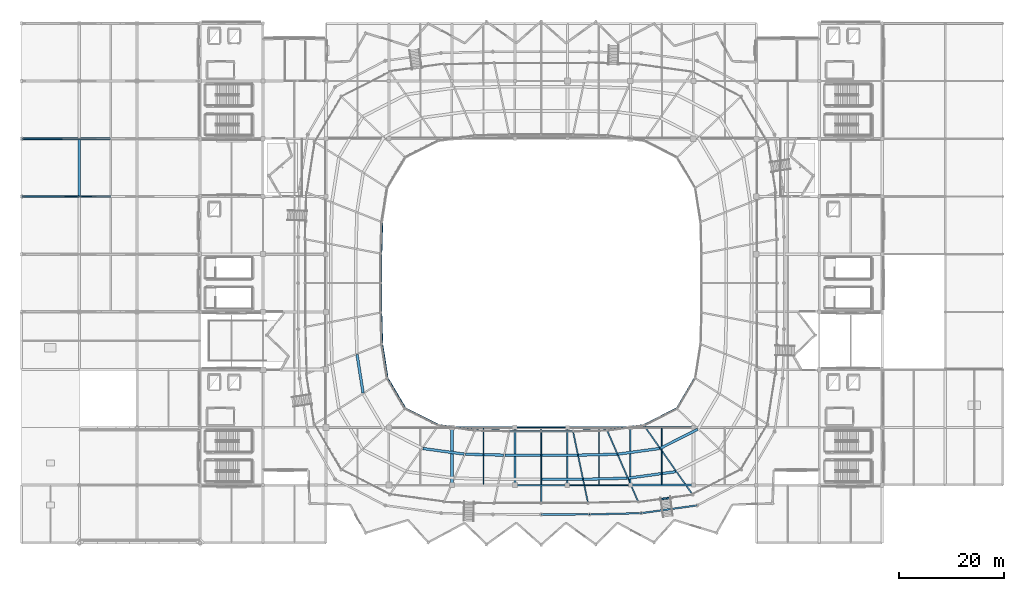
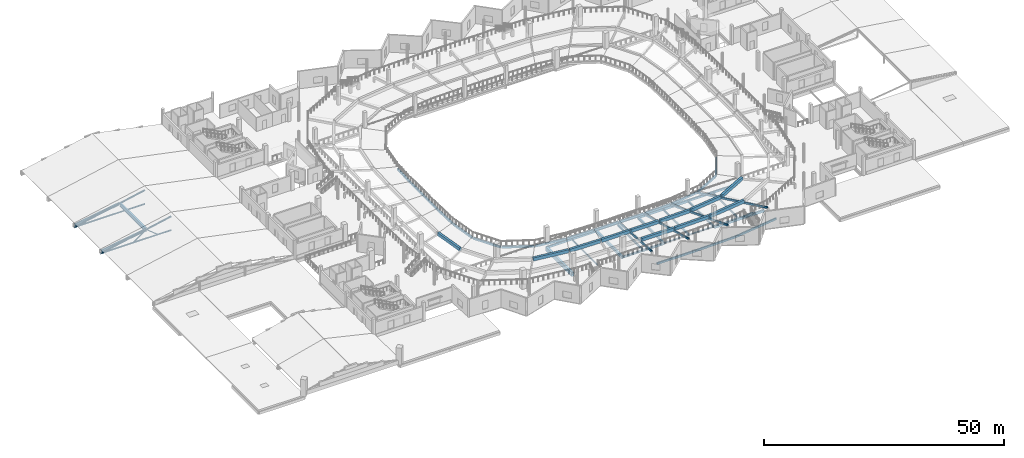
# One storey, part 29 of 77: 52 beams, 6 members.
"""IFC4 building model written with IfcOpenShell, lengths in metres."""

from ifc_helpers import new_model, si_unit, direction, frame, origin, origin_2d, place, context, subcontext, project, spatial, rectangle, hollow_rectangle, hollow_circle, i_section, extrude, material, material_profile, profile_set, type_object, element, save


model = new_model("IFC4")

# Units and contexts
model_context = context("Model", 3, precision=1e-05, world=origin(), true_north=direction((0.0, 1.0)))
body_context = subcontext(model_context, "Body", "Model", "MODEL_VIEW")
ifc_project = project(units=[si_unit("LENGTHUNIT", "METRE"), si_unit("AREAUNIT", "SQUARE_METRE"), si_unit("VOLUMEUNIT", "CUBIC_METRE"), si_unit("PLANEANGLEUNIT", "RADIAN"), si_unit("MASSUNIT", "GRAM", prefix="KILO")], contexts=[model_context])

# Site, building, storey
site_placement = place(None, origin())
site = spatial("IfcSite", under=ifc_project, at=site_placement, CompositionType="ELEMENT")
building_placement = place(site_placement, origin())
building = spatial("IfcBuilding", under=site, at=building_placement, Name="Luwafu Chhajja Arena", CompositionType="ELEMENT")
storey_placement = place(building_placement, frame((0.0, 0.0, 14.699951171875)))
storey = spatial("IfcBuildingStorey", under=building, at=storey_placement, Name="L03", CompositionType="ELEMENT", Elevation=14.699951171875)

# Beams
ifc_material_1 = material(Name="Steel S355", Category="steel")
ifc_material_profile_1 = material_profile(ifc_material_1, hollow_rectangle(XDim=0.25, YDim=0.449951171875, WallThickness=0.01611328125, at=origin_2d()), Name="RHS 450x250x16")
ifc_profile_set_1 = profile_set([ifc_material_profile_1], Name="Steel S355")
beam_type_1 = type_object("IfcBeamType", Name="Cantilevered Upper Bowl Raker RHS 450x250", PredefinedType="USERDEFINED", material=ifc_profile_set_1)
beam_1_placement = place(storey_placement, frame((99.0, 21.300048828125, 0.239990234375), z_axis=(0.0, -0.997488085628, 0.070834448044), x_axis=(1.0, 0.0, 0.0)))
element("IfcBeam", 1, at=beam_1_placement, inside=storey, type_object=beam_type_1, Name="Upper Bowl Raker RKR-U25", ObjectType="RAKER", PredefinedType="USERDEFINED", context=body_context, shape_type="SweptSolid", body=[
    extrude(hollow_rectangle(XDim=0.25, YDim=0.449951171875, WallThickness=0.01611328125, at=origin_2d()), origin(), (0.0, 0.0, 1.0), 13.834716796875),
])
beam_2_placement = place(storey_placement, frame((105.065185546875, 21.3076171875, 0.239990234375), z_axis=(0.204077146452, -0.976494457749, 0.069362037753), x_axis=(0.9788519703, 0.204569841961, 0.0)))
element("IfcBeam", 2, at=beam_2_placement, inside=storey, type_object=beam_type_1, Name="Upper Bowl Raker RKR-U26", ObjectType="RAKER", PredefinedType="USERDEFINED", context=body_context, shape_type="SweptSolid", body=[
    extrude(hollow_rectangle(XDim=0.25, YDim=0.449951171875, WallThickness=0.01611328125, at=origin_2d()), origin(), (0.0, 0.0, 1.0), 14.12841796875),
])
beam_3_placement = place(storey_placement, frame((111.560302734375, 21.463134765625, 0.239990234375), z_axis=(0.398223154661, -0.914957546199, 0.065352947496), x_axis=(0.916917722769, 0.399076295553, 0.0)))
element("IfcBeam", 3, at=beam_3_placement, inside=storey, type_object=beam_type_1, Name="Upper Bowl Raker RKR-U27", ObjectType="RAKER", PredefinedType="USERDEFINED", context=body_context, shape_type="SweptSolid", body=[
    extrude(hollow_rectangle(XDim=0.25, YDim=0.449951171875, WallThickness=0.01611328125, at=origin_2d()), origin(), (0.0, 0.0, 1.0), 14.9951171875),
])
beam_4_placement = place(storey_placement, frame((118.57666015625, 22.410888671875, 0.239990234375), z_axis=(0.573550026627, -0.816941301272, 0.060392691873), x_axis=(0.818435194703, 0.574598844474, 0.0)))
element("IfcBeam", 4, at=beam_4_placement, inside=storey, type_object=beam_type_1, Name="Upper Bowl Raker RKR-U28", ObjectType="RAKER", PredefinedType="USERDEFINED", context=body_context, shape_type="SweptSolid", body=[
    extrude(hollow_rectangle(XDim=0.25, YDim=0.449951171875, WallThickness=0.01611328125, at=origin_2d()), origin(), (0.0, 0.0, 1.0), 16.226806640625),
])
ifc_material_profile_2 = material_profile(ifc_material_1, i_section(OverallWidth=0.165771484375, OverallDepth=0.306640625, WebThickness=0.006591796875, FlangeThickness=0.01171875, at=origin_2d()), Name="UB 305x165x46")
ifc_profile_set_2 = profile_set([ifc_material_profile_2], Name="Steel S355")
beam_type_2 = type_object("IfcBeamType", Name="Concourse Edge Spandrel Beam UB 305x165x46", PredefinedType="SPANDREL", material=ifc_profile_set_2)
beam_5_placement = place(storey_placement, frame((94.0, 22.0, -0.543212890625), z_axis=(1.0, 0.0, 0.0), x_axis=(0.0, 1.0, 0.0)))
element("IfcBeam", 5, at=beam_5_placement, inside=storey, type_object=beam_type_2, Name="L03 Grid Beam 9-10/C", PredefinedType="SPANDREL", context=body_context, shape_type="SweptSolid", body=[
    extrude(i_section(OverallWidth=0.165771484375, OverallDepth=0.306640625, WebThickness=0.006591796875, FlangeThickness=0.01171875, at=origin_2d()), origin(), (0.0, 0.0, 1.0), 10.0),
])
beam_6_placement = place(storey_placement, frame((104.0, 11.0, -0.543212890625), z_axis=(1.0, 0.0, 0.0), x_axis=(0.0, 1.0, 0.0)))
element("IfcBeam", 6, at=beam_6_placement, inside=storey, type_object=beam_type_2, Name="L03 Grid Beam 10-11/B", PredefinedType="SPANDREL", context=body_context, shape_type="SweptSolid", body=[
    extrude(i_section(OverallWidth=0.165771484375, OverallDepth=0.306640625, WebThickness=0.006591796875, FlangeThickness=0.01171875, at=origin_2d()), origin(), (0.0, 0.0, 1.0), 12.0),
])
ifc_material_2 = material(Name="Concrete C35/45", Category="concrete")
ifc_material_profile_3 = material_profile(ifc_material_2, rectangle(XDim=0.550048828125, YDim=0.949951171875, at=origin_2d()), Name="RC 550x950")
ifc_profile_set_3 = profile_set([ifc_material_profile_3], Name="Concrete C35/45")
beam_type_3 = type_object("IfcBeamType", Name="Concourse Radial Girder RC 550x950", PredefinedType="BEAM", material=ifc_profile_set_3)
beam_7_placement = place(storey_placement, frame((82.0, 11.0, -0.864990234375), z_axis=(0.0, 1.0, 0.0), x_axis=(-1.0, 0.0, 0.0)))
element("IfcBeam", 7, at=beam_7_placement, inside=storey, type_object=beam_type_3, Name="L03 Grid Beam 8/B-C", PredefinedType="BEAM", context=body_context, shape_type="SweptSolid", body=[
    extrude(rectangle(XDim=0.550048828125, YDim=0.949951171875, at=origin_2d()), origin(), (0.0, 0.0, 1.0), 11.0),
])
ifc_material_profile_4 = material_profile(ifc_material_1, i_section(OverallWidth=0.15283203125, OverallDepth=0.45458984375, WebThickness=0.008056640625, FlangeThickness=0.01318359375, at=origin_2d()), Name="UB 457x152x60")
ifc_profile_set_4 = profile_set([ifc_material_profile_4], Name="Steel S355")
beam_type_4 = type_object("IfcBeamType", Name="Floor Joist UB 457x152x60", PredefinedType="JOIST", material=ifc_profile_set_4)
beam_8_placement = place(storey_placement, frame((88.0, 11.199951171875, -0.6171875), z_axis=(0.0, 1.0, 0.0), x_axis=(-1.0, 0.0, 0.0)))
element("IfcBeam", 8, at=beam_8_placement, inside=storey, type_object=beam_type_4, Name="L03 Secondary Joist 8-9/B", PredefinedType="JOIST", context=body_context, shape_type="SweptSolid", body=[
    extrude(i_section(OverallWidth=0.15283203125, OverallDepth=0.45458984375, WebThickness=0.008056640625, FlangeThickness=0.01318359375, at=origin_2d()), origin(), (0.0, 0.0, 1.0), 10.650146484375),
])
ifc_material_profile_5 = material_profile(ifc_material_1, i_section(OverallWidth=0.19140625, OverallDepth=0.4599609375, WebThickness=0.010009765625, FlangeThickness=0.01611328125, at=origin_2d()), Name="UB 457x191x82")
ifc_profile_set_5 = profile_set([ifc_material_profile_5], Name="Steel S355")
beam_type_5 = type_object("IfcBeamType", Name="Floor Joist UB 457x191x82", PredefinedType="JOIST", material=ifc_profile_set_5)
beam_9_placement = place(storey_placement, frame((122.0, 11.199951171875, -0.619873046875), z_axis=(0.0, 1.0, 0.0), x_axis=(-1.0, 0.0, 0.0)))
element("IfcBeam", 9, at=beam_9_placement, inside=storey, type_object=beam_type_5, Name="L03 Secondary Joist 11-12/B", PredefinedType="JOIST", context=body_context, shape_type="SweptSolid", body=[
    extrude(i_section(OverallWidth=0.19140625, OverallDepth=0.4599609375, WebThickness=0.010009765625, FlangeThickness=0.01611328125, at=origin_2d()), origin(), (0.0, 0.0, 1.0), 10.650146484375),
])
ifc_material_profile_6 = material_profile(ifc_material_1, i_section(OverallWidth=0.2099609375, OverallDepth=0.53662109375, WebThickness=0.0107421875, FlangeThickness=0.017333984375, at=origin_2d()), Name="UB 533x210x101")
ifc_profile_set_6 = profile_set([ifc_material_profile_6], Name="Steel S355")
beam_type_6 = type_object("IfcBeamType", Name="Floor Joist UB 533x210x101", PredefinedType="JOIST", material=ifc_profile_set_6)
beam_10_placement = place(storey_placement, frame((99.0, 11.14990234375, -0.658203125), z_axis=(0.0, 1.0, 0.0), x_axis=(-1.0, 0.0, 0.0)))
element("IfcBeam", 10, at=beam_10_placement, inside=storey, type_object=beam_type_6, Name="L03 Secondary Joist 9-10/B", PredefinedType="JOIST", context=body_context, shape_type="SweptSolid", body=[
    extrude(i_section(OverallWidth=0.2099609375, OverallDepth=0.53662109375, WebThickness=0.0107421875, FlangeThickness=0.017333984375, at=origin_2d()), origin(), (0.0, 0.0, 1.0), 10.76708984375),
])
ifc_material_profile_7 = material_profile(ifc_material_1, i_section(OverallWidth=0.209228515625, OverallDepth=0.533203125, WebThickness=0.010009765625, FlangeThickness=0.015625, at=origin_2d()), Name="UB 533x210x92")
ifc_profile_set_7 = profile_set([ifc_material_profile_7], Name="Steel S355")
beam_type_7 = type_object("IfcBeamType", Name="Floor Joist UB 533x210x92", PredefinedType="JOIST", material=ifc_profile_set_7)
beam_11_placement = place(storey_placement, frame((110.0, 11.0830078125, -0.656494140625), z_axis=(0.0, 1.0, 0.0), x_axis=(-1.0, 0.0, 0.0)))
element("IfcBeam", 11, at=beam_11_placement, inside=storey, type_object=beam_type_7, Name="L03 Secondary Joist 10-11/B", PredefinedType="JOIST", context=body_context, shape_type="SweptSolid", body=[
    extrude(i_section(OverallWidth=0.209228515625, OverallDepth=0.533203125, WebThickness=0.010009765625, FlangeThickness=0.015625, at=origin_2d()), origin(), (0.0, 0.0, 1.0), 10.717041015625),
])
ifc_material_profile_8 = material_profile(ifc_material_2, rectangle(XDim=0.5, YDim=0.800048828125, at=origin_2d()), Name="RC 500x800")
ifc_profile_set_8 = profile_set([ifc_material_profile_8], Name="Concrete C35/45")
beam_type_8 = type_object("IfcBeamType", Name="Hospitality Primary Beam RC 500x800", PredefinedType="BEAM", material=ifc_profile_set_8)
beam_12_placement = place(storey_placement, frame((63.923583984375, 35.868896484375, 0.800048828125), z_axis=(0.1553465585, -0.987860033994, 0.0), x_axis=(0.987860033994, 0.1553465585, 0.0)))
element("IfcBeam", 12, at=beam_12_placement, inside=storey, type_object=beam_type_8, Name="Upper Tier Ring Beam S19-B2", PredefinedType="BEAM", context=body_context, shape_type="SweptSolid", body=[
    extrude(rectangle(XDim=0.5, YDim=0.800048828125, at=origin_2d()), origin(), (0.0, 0.0, 1.0), 7.387939453125),
])
beam_13_placement = place(storey_placement, frame((76.46630859375, 17.975341796875, 0.800048828125), z_axis=(0.990909467515, -0.134530395038, 0.0), x_axis=(0.134530395038, 0.990909467515, 0.0)))
element("IfcBeam", 13, at=beam_13_placement, inside=storey, type_object=beam_type_8, Name="Upper Tier Ring Beam S22-B2", PredefinedType="BEAM", context=body_context, shape_type="SweptSolid", body=[
    extrude(rectangle(XDim=0.5, YDim=0.800048828125, at=origin_2d()), origin(), (0.0, 0.0, 1.0), 7.945068359375),
])
beam_14_placement = place(storey_placement, frame((84.587890625, 16.88671875, 0.800048828125), z_axis=(0.999710840469, -0.02404652675, 0.0), x_axis=(0.02404652675, 0.999710840469, 0.0)))
element("IfcBeam", 14, at=beam_14_placement, inside=storey, type_object=beam_type_8, Name="Upper Tier Ring Beam S23-B2", PredefinedType="BEAM", context=body_context, shape_type="SweptSolid", body=[
    extrude(rectangle(XDim=0.5, YDim=0.800048828125, at=origin_2d()), origin(), (0.0, 0.0, 1.0), 7.26953125),
])
for number, where, z_axis, x_axis, name in (
    (15, (92.105224609375, 16.70849609375, 0.800048828125), (0.999999248275, -0.001226152203, 0.0), (0.001226152203, 0.999999248275, 0.0), "Upper Tier Ring Beam S24-B2"),
    (16, (99.125, 16.7001953125, 0.800048828125), (0.999999248275, 0.001226152203, 0.0), (-0.001226152203, 0.999999248275, 0.0), "Upper Tier Ring Beam S25-B2"),
):
    element("IfcBeam", number, at=place(storey_placement, frame(where, z_axis=z_axis, x_axis=x_axis)), inside=storey, type_object=beam_type_8, Name=name, PredefinedType="BEAM", context=body_context, shape_type="SweptSolid", body=[
        extrude(rectangle(XDim=0.5, YDim=0.800048828125, at=origin_2d()), origin(), (0.0, 0.0, 1.0), 6.769775390625),
    ])
beam_15_placement = place(storey_placement, frame((99.125, 12.10009765625, 1.380126953125), z_axis=(0.999999200771, 0.001264301411, 0.0), x_axis=(-0.001264301411, 0.999999200771, 0.0)))
element("IfcBeam", 17, at=beam_15_placement, inside=storey, type_object=beam_type_8, Name="Upper Tier Ring Beam S25-B3", PredefinedType="BEAM", context=body_context, shape_type="SweptSolid", body=[
    extrude(rectangle(XDim=0.5, YDim=0.800048828125, at=origin_2d()), origin(), (0.0, 0.0, 1.0), 7.72412109375),
])
beam_16_placement = place(storey_placement, frame((106.144775390625, 16.7119140625, 0.800048828125), z_axis=(0.999710840469, 0.02404652675, 0.0), x_axis=(-0.02404652675, 0.999710840469, 0.0)))
element("IfcBeam", 18, at=beam_16_placement, inside=storey, type_object=beam_type_8, Name="Upper Tier Ring Beam S26-B2", PredefinedType="BEAM", context=body_context, shape_type="SweptSolid", body=[
    extrude(rectangle(XDim=0.5, YDim=0.800048828125, at=origin_2d()), origin(), (0.0, 0.0, 1.0), 7.26953125),
])
beam_17_placement = place(storey_placement, frame((107.09912109375, 12.113037109375, 1.380126953125), z_axis=(0.999707814625, 0.024171995753, 0.0), x_axis=(-0.024171995753, 0.999707814625, 0.0)))
element("IfcBeam", 19, at=beam_17_placement, inside=storey, type_object=beam_type_8, Name="Upper Tier Ring Beam S26-B3", PredefinedType="BEAM", context=body_context, shape_type="SweptSolid", body=[
    extrude(rectangle(XDim=0.5, YDim=0.800048828125, at=origin_2d()), origin(), (0.0, 0.0, 1.0), 8.292236328125),
])
beam_18_placement = place(storey_placement, frame((113.660888671875, 16.906494140625, 0.800048828125), z_axis=(0.990909467515, 0.134530395038, 0.0), x_axis=(-0.134530395038, 0.990909467515, 0.0)))
element("IfcBeam", 20, at=beam_18_placement, inside=storey, type_object=beam_type_8, Name="Upper Tier Ring Beam S27-B2", PredefinedType="BEAM", context=body_context, shape_type="SweptSolid", body=[
    extrude(rectangle(XDim=0.5, YDim=0.800048828125, at=origin_2d()), origin(), (0.0, 0.0, 1.0), 7.945068359375),
])
beam_19_placement = place(storey_placement, frame((115.6376953125, 12.33349609375, 1.380126953125), z_axis=(0.990848033552, 0.134982126249, 0.0), x_axis=(-0.134982126249, 0.990848033552, 0.0)))
element("IfcBeam", 21, at=beam_19_placement, inside=storey, type_object=beam_type_8, Name="Upper Tier Ring Beam S27-B3", PredefinedType="BEAM", context=body_context, shape_type="SweptSolid", body=[
    extrude(rectangle(XDim=0.5, YDim=0.800048828125, at=origin_2d()), origin(), (0.0, 0.0, 1.0), 9.059814453125),
])
beam_20_placement = place(storey_placement, frame((121.768798828125, 18.048828125, 0.800048828125), z_axis=(0.891381324979, 0.453254159913, 0.0), x_axis=(-0.453254159913, 0.891381324979, 0.0)))
element("IfcBeam", 22, at=beam_20_placement, inside=storey, type_object=beam_type_8, Name="Upper Tier Ring Beam S28-B2", PredefinedType="BEAM", context=body_context, shape_type="SweptSolid", body=[
    extrude(rectangle(XDim=0.5, YDim=0.800048828125, at=origin_2d()), origin(), (0.0, 0.0, 1.0), 7.908203125),
])
ifc_material_profile_9 = material_profile(ifc_material_1, i_section(OverallWidth=0.41845703125, OverallDepth=0.911865234375, WebThickness=0.019287109375, FlangeThickness=0.031982421875, at=origin_2d()), Name="UB 914x419x343")
ifc_profile_set_9 = profile_set([ifc_material_profile_9], Name="Steel S355")
beam_type_9 = type_object("IfcBeamType", Name="Outer Compression Ring Girder UB 914x419x343", PredefinedType="BEAM", material=ifc_profile_set_9)
beam_21_placement = place(storey_placement, frame((11.0, 66.1201171875, 1.949951171875), z_axis=(0.0, 1.0, 0.0), x_axis=(-1.0, 0.0, 0.0)))
element("IfcBeam", 23, at=beam_21_placement, inside=storey, type_object=beam_type_9, Name="Warm-Up W Spine Girder Bay 6", PredefinedType="BEAM", context=body_context, shape_type="SweptSolid", body=[
    extrude(i_section(OverallWidth=0.41845703125, OverallDepth=0.911865234375, WebThickness=0.019287109375, FlangeThickness=0.031982421875, at=origin_2d()), origin(), (0.0, 0.0, 1.0), 10.759765625),
])
ifc_material_profile_10 = material_profile(ifc_material_1, hollow_rectangle(XDim=0.300048828125, YDim=0.5, WallThickness=0.02001953125, at=origin_2d()), Name="RHS 500x300x20")
ifc_profile_set_10 = profile_set([ifc_material_profile_10], Name="Steel S355")
beam_type_10 = type_object("IfcBeamType", Name="Pleated Drum Spandrel Beam RHS 500x300", PredefinedType="SPANDREL", material=ifc_profile_set_10)
beam_22_placement = place(storey_placement, frame((82.0, 22.0, -0.639892578125), z_axis=(1.0, 0.0, 0.0), x_axis=(0.0, 1.0, 0.0)))
element("IfcBeam", 24, at=beam_22_placement, inside=storey, type_object=beam_type_10, Name="L03 Grid Beam 8-9/C", PredefinedType="SPANDREL", context=body_context, shape_type="SweptSolid", body=[
    extrude(hollow_rectangle(XDim=0.300048828125, YDim=0.5, WallThickness=0.02001953125, at=origin_2d()), origin(), (0.0, 0.0, 1.0), 12.0),
])
beam_23_placement = place(storey_placement, frame((94.0, 11.0, -0.639892578125), z_axis=(1.0, 0.0, 0.0), x_axis=(0.0, 1.0, 0.0)))
element("IfcBeam", 25, at=beam_23_placement, inside=storey, type_object=beam_type_10, Name="L03 Grid Beam 9-10/B", PredefinedType="SPANDREL", context=body_context, shape_type="SweptSolid", body=[
    extrude(hollow_rectangle(XDim=0.300048828125, YDim=0.5, WallThickness=0.02001953125, at=origin_2d()), origin(), (0.0, 0.0, 1.0), 10.0),
])
beam_24_placement = place(storey_placement, frame((116.0, 22.0, -0.639892578125), z_axis=(1.0, 0.0, 0.0), x_axis=(0.0, 1.0, 0.0)))
element("IfcBeam", 26, at=beam_24_placement, inside=storey, type_object=beam_type_10, Name="L03 Grid Beam 11-12/C", PredefinedType="SPANDREL", context=body_context, shape_type="SweptSolid", body=[
    extrude(hollow_rectangle(XDim=0.300048828125, YDim=0.5, WallThickness=0.02001953125, at=origin_2d()), origin(), (0.0, 0.0, 1.0), 12.0),
])
beam_25_placement = place(storey_placement, frame((99.0, 5.39990234375, -0.639892578125), z_axis=(0.999999155928, 0.001299285621, 0.0), x_axis=(-0.001299285621, 0.999999155928, 0.0)))
element("IfcBeam", 27, at=beam_25_placement, inside=storey, type_object=beam_type_10, Name="L03 Drum Ring Spandrel D25-D26", PredefinedType="SPANDREL", context=body_context, shape_type="SweptSolid", body=[
    extrude(hollow_rectangle(XDim=0.300048828125, YDim=0.5, WallThickness=0.02001953125, at=origin_2d()), origin(), (0.0, 0.0, 1.0), 9.207275390625),
])
beam_26_placement = place(storey_placement, frame((108.207275390625, 5.411865234375, -0.639892578125), z_axis=(0.999695420837, 0.024679253567, 0.0), x_axis=(-0.024679253567, 0.999695420837, 0.0)))
element("IfcBeam", 28, at=beam_26_placement, inside=storey, type_object=beam_type_10, Name="L03 Drum Ring Spandrel D26-D27", PredefinedType="SPANDREL", context=body_context, shape_type="SweptSolid", body=[
    extrude(hollow_rectangle(XDim=0.300048828125, YDim=0.5, WallThickness=0.02001953125, at=origin_2d()), origin(), (0.0, 0.0, 1.0), 9.86279296875),
])
beam_27_placement = place(storey_placement, frame((118.067138671875, 5.6552734375, -0.639892578125), z_axis=(0.990458730054, 0.137809666058, 0.0), x_axis=(-0.137809666058, 0.990458730054, 0.0)))
element("IfcBeam", 29, at=beam_27_placement, inside=storey, type_object=beam_type_10, Name="L03 Drum Ring Spandrel D27-D28", PredefinedType="SPANDREL", context=body_context, shape_type="SweptSolid", body=[
    extrude(hollow_rectangle(XDim=0.300048828125, YDim=0.5, WallThickness=0.02001953125, at=origin_2d()), origin(), (0.0, 0.0, 1.0), 10.75341796875),
])
ifc_material_profile_11 = material_profile(ifc_material_2, rectangle(XDim=0.39990234375, YDim=0.60009765625, at=origin_2d()), Name="RC 400x600")
ifc_profile_set_11 = profile_set([ifc_material_profile_11], Name="Concrete C35/45")
beam_type_11 = type_object("IfcBeamType", Name="Podium Perimeter Spandrel RC 400x600", PredefinedType="SPANDREL", material=ifc_profile_set_11)
for number, where, z_axis, x_axis, name in (
    (30, (104.0, 22.0, -0.68994140625), (1.0, 0.0, 0.0), (0.0, 1.0, 0.0), "L03 Grid Beam 10-11/C"),
    (31, (116.0, 11.0, -0.68994140625), (1.0, 0.0, 0.0), (0.0, 1.0, 0.0), "L03 Grid Beam 11-12/B"),
):
    element("IfcBeam", number, at=place(storey_placement, frame(where, z_axis=z_axis, x_axis=x_axis)), inside=storey, type_object=beam_type_11, Name=name, PredefinedType="SPANDREL", context=body_context, shape_type="SweptSolid", body=[
        extrude(rectangle(XDim=0.39990234375, YDim=0.60009765625, at=origin_2d()), origin(), (0.0, 0.0, 1.0), 12.0),
    ])
ifc_material_profile_12 = material_profile(ifc_material_1, i_section(OverallWidth=0.300048828125, OverallDepth=0.5, WebThickness=0.014404296875, FlangeThickness=0.028076171875, at=origin_2d()), Name="HEB 500")
ifc_profile_set_12 = profile_set([ifc_material_profile_12], Name="Steel S355")
beam_type_12 = type_object("IfcBeamType", Name="Steel Atrium Tie Girder HEB 500", PredefinedType="BEAM", material=ifc_profile_set_12)
beam_28_placement = place(storey_placement, frame((116.0, 11.0, -0.639892578125), z_axis=(0.0, 1.0, 0.0), x_axis=(-1.0, 0.0, 0.0)))
element("IfcBeam", 32, at=beam_28_placement, inside=storey, type_object=beam_type_12, Name="L03 Grid Beam 11/B-C", PredefinedType="BEAM", context=body_context, shape_type="SweptSolid", body=[
    extrude(i_section(OverallWidth=0.300048828125, OverallDepth=0.5, WebThickness=0.014404296875, FlangeThickness=0.028076171875, at=origin_2d()), origin(), (0.0, 0.0, 1.0), 11.0),
])
ifc_material_profile_13 = material_profile(ifc_material_1, i_section(OverallWidth=0.30712890625, OverallDepth=0.6201171875, WebThickness=0.01416015625, FlangeThickness=0.023681640625, at=origin_2d()), Name="UB 610x305x179")
ifc_profile_set_13 = profile_set([ifc_material_profile_13], Name="Steel S355")
beam_type_13 = type_object("IfcBeamType", Name="Steel Hospitality Girder UB 610x305x179", PredefinedType="BEAM", material=ifc_profile_set_13)
beam_29_placement = place(storey_placement, frame((104.0, 11.0, -0.699951171875), z_axis=(0.0, 1.0, 0.0), x_axis=(-1.0, 0.0, 0.0)))
element("IfcBeam", 33, at=beam_29_placement, inside=storey, type_object=beam_type_13, Name="L03 Grid Beam 10/B-C", PredefinedType="BEAM", context=body_context, shape_type="SweptSolid", body=[
    extrude(i_section(OverallWidth=0.30712890625, OverallDepth=0.6201171875, WebThickness=0.01416015625, FlangeThickness=0.023681640625, at=origin_2d()), origin(), (0.0, 0.0, 1.0), 11.0),
])
for number, where, z_axis, x_axis, name in (
    (34, (0.10009765625, 66.0, 0.35009765625), (0.987366005777, 0.0, 0.158456210467), (0.0, 1.0, 0.0), "Warm-Up Truss 03 West Rafter"),
    (35, (0.10009765625, 77.0, 0.35009765625), (0.987366005777, 0.0, 0.158456210467), (0.0, 1.0, 0.0), "Warm-Up Truss 04 West Rafter"),
):
    element("IfcBeam", number, at=place(storey_placement, frame(where, z_axis=z_axis, x_axis=x_axis)), inside=storey, type_object=beam_type_13, Name=name, PredefinedType="BEAM", context=body_context, shape_type="SweptSolid", body=[
        extrude(i_section(OverallWidth=0.30712890625, OverallDepth=0.6201171875, WebThickness=0.01416015625, FlangeThickness=0.023681640625, at=origin_2d()), origin(), (0.0, 0.0, 1.0), 10.917724609375),
    ])
ifc_material_3 = material(Name="Precast concrete C40/50", Category="concrete")
ifc_material_profile_14 = material_profile(ifc_material_3, rectangle(XDim=0.300048828125, YDim=0.5, at=origin_2d()), Name="RC 300x500")
ifc_profile_set_14 = profile_set([ifc_material_profile_14], Name="Precast concrete C40/50")
beam_type_14 = type_object("IfcBeamType", Name="Tier Support Beam RC 300x500", PredefinedType="BEAM", material=ifc_profile_set_14)
beam_30_placement = place(storey_placement, frame((68.673095703125, 60.98828125, 0.340087890625), z_axis=(-0.028028349539, -0.999607128637, 0.0), x_axis=(0.999607128637, -0.028028349539, 0.0)))
element("IfcBeam", 36, at=beam_30_placement, inside=storey, type_object=beam_type_14, Name="Upper Tier Ring Beam S15-B1", PredefinedType="BEAM", context=body_context, shape_type="SweptSolid", body=[
    extrude(rectangle(XDim=0.300048828125, YDim=0.5, at=origin_2d()), origin(), (0.0, 0.0, 1.0), 5.757568359375),
])
for number, where, z_axis, x_axis, name in (
    (37, (68.508056640625, 54.98291015625, 0.340087890625), (-0.001458122937, -0.999998936938, 0.0), (0.999998936938, -0.001458122937, 0.0), "Upper Tier Ring Beam S16-B1"),
    (38, (68.500244140625, 49.375, 0.340087890625), (0.001458122937, -0.999998936938, 0.0), (0.999998936938, 0.001458122937, 0.0), "Upper Tier Ring Beam S17-B1"),
):
    element("IfcBeam", number, at=place(storey_placement, frame(where, z_axis=z_axis, x_axis=x_axis)), inside=storey, type_object=beam_type_14, Name=name, PredefinedType="BEAM", context=body_context, shape_type="SweptSolid", body=[
        extrude(rectangle(XDim=0.300048828125, YDim=0.5, at=origin_2d()), origin(), (0.0, 0.0, 1.0), 5.35791015625),
    ])
beam_31_placement = place(storey_placement, frame((68.51171875, 43.76708984375, 0.340087890625), z_axis=(0.028028349539, -0.999607128637, 0.0), x_axis=(0.999607128637, 0.028028349539, 0.0)))
element("IfcBeam", 39, at=beam_31_placement, inside=storey, type_object=beam_type_14, Name="Upper Tier Ring Beam S18-B1", PredefinedType="BEAM", context=body_context, shape_type="SweptSolid", body=[
    extrude(rectangle(XDim=0.300048828125, YDim=0.5, at=origin_2d()), origin(), (0.0, 0.0, 1.0), 5.757568359375),
])
beam_32_placement = place(storey_placement, frame((68.696044921875, 37.76318359375, 0.340087890625), z_axis=(0.156051876046, -0.987748860785, 0.0), x_axis=(0.987748860785, 0.156051876046, 0.0)))
element("IfcBeam", 40, at=beam_32_placement, inside=storey, type_object=beam_type_14, Name="Upper Tier Ring Beam S19-B1", PredefinedType="BEAM", context=body_context, shape_type="SweptSolid", body=[
    extrude(rectangle(XDim=0.300048828125, YDim=0.5, at=origin_2d()), origin(), (0.0, 0.0, 1.0), 6.3173828125),
])
beam_33_placement = place(storey_placement, frame((69.76513671875, 31.2919921875, 0.340087890625), z_axis=(0.509366870443, -0.860549470568, 0.0), x_axis=(0.860549470568, 0.509366870443, 0.0)))
element("IfcBeam", 41, at=beam_33_placement, inside=storey, type_object=beam_type_14, Name="Upper Tier Ring Beam S20-B1", PredefinedType="BEAM", context=body_context, shape_type="SweptSolid", body=[
    extrude(rectangle(XDim=0.300048828125, YDim=0.5, at=origin_2d()), origin(), (0.0, 0.0, 1.0), 6.500732421875),
])
beam_34_placement = place(storey_placement, frame((73.251708984375, 25.53369140625, 0.340087890625), z_axis=(0.89228181807, -0.451478855697, 0.0), x_axis=(0.451478855697, 0.89228181807, 0.0)))
element("IfcBeam", 42, at=beam_34_placement, inside=storey, type_object=beam_type_14, Name="Upper Tier Ring Beam S21-B1", PredefinedType="BEAM", context=body_context, shape_type="SweptSolid", body=[
    extrude(rectangle(XDim=0.300048828125, YDim=0.5, at=origin_2d()), origin(), (0.0, 0.0, 1.0), 6.7919921875),
])
beam_35_placement = place(storey_placement, frame((79.54736328125, 22.394287109375, 0.340087890625), z_axis=(0.990998840044, -0.133870456154, 0.0), x_axis=(0.133870456154, 0.990998840044, 0.0)))
element("IfcBeam", 43, at=beam_35_placement, inside=storey, type_object=beam_type_14, Name="Upper Tier Ring Beam S22-B1", PredefinedType="BEAM", context=body_context, shape_type="SweptSolid", body=[
    extrude(rectangle(XDim=0.300048828125, YDim=0.5, at=origin_2d()), origin(), (0.0, 0.0, 1.0), 6.829833984375),
])
beam_36_placement = place(storey_placement, frame((86.564697265625, 21.460205078125, 0.340087890625), z_axis=(0.99971298614, -0.023957156392, 0.0), x_axis=(0.023957156392, 0.99971298614, 0.0)))
element("IfcBeam", 44, at=beam_36_placement, inside=storey, type_object=beam_type_14, Name="Upper Tier Ring Beam S23-B1", PredefinedType="BEAM", context=body_context, shape_type="SweptSolid", body=[
    extrude(rectangle(XDim=0.300048828125, YDim=0.5, at=origin_2d()), origin(), (0.0, 0.0, 1.0), 6.246826171875),
])
for number, where, z_axis, x_axis, name in (
    (45, (93.059814453125, 21.307373046875, 0.340087890625), (0.999999258829, -0.001217514526, 0.0), (0.001217514526, 0.999999258829, 0.0), "Upper Tier Ring Beam S24-B1"),
    (46, (99.125, 21.30029296875, 0.340087890625), (0.999999258829, 0.001217514526, 0.0), (-0.001217514526, 0.999999258829, 0.0), "Upper Tier Ring Beam S25-B1"),
):
    element("IfcBeam", number, at=place(storey_placement, frame(where, z_axis=z_axis, x_axis=x_axis)), inside=storey, type_object=beam_type_14, Name=name, PredefinedType="BEAM", context=body_context, shape_type="SweptSolid", body=[
        extrude(rectangle(XDim=0.300048828125, YDim=0.5, at=origin_2d()), origin(), (0.0, 0.0, 1.0), 5.815185546875),
    ])
beam_37_placement = place(storey_placement, frame((105.190185546875, 21.310546875, 0.340087890625), z_axis=(0.99971298614, 0.023957156392, 0.0), x_axis=(-0.023957156392, 0.99971298614, 0.0)))
element("IfcBeam", 47, at=beam_37_placement, inside=storey, type_object=beam_type_14, Name="Upper Tier Ring Beam S26-B1", PredefinedType="BEAM", context=body_context, shape_type="SweptSolid", body=[
    extrude(rectangle(XDim=0.300048828125, YDim=0.5, at=origin_2d()), origin(), (0.0, 0.0, 1.0), 6.246826171875),
])
beam_38_placement = place(storey_placement, frame((111.684326171875, 21.47998046875, 0.340087890625), z_axis=(0.990998840044, 0.133870456154, 0.0), x_axis=(-0.133870456154, 0.990998840044, 0.0)))
element("IfcBeam", 48, at=beam_38_placement, inside=storey, type_object=beam_type_14, Name="Upper Tier Ring Beam S27-B1", PredefinedType="BEAM", context=body_context, shape_type="SweptSolid", body=[
    extrude(rectangle(XDim=0.300048828125, YDim=0.5, at=origin_2d()), origin(), (0.0, 0.0, 1.0), 6.829833984375),
])
beam_39_placement = place(storey_placement, frame((121.568115234375, 8.29345703125, 1.550048828125), z_axis=(0.990829522142, 0.135117941263, 0.0), x_axis=(-0.135117941263, 0.990829522142, 0.0)))
element("IfcBeam", 49, at=beam_39_placement, inside=storey, type_object=beam_type_14, Name="L03 Vomitory Header Beam S27", PredefinedType="BEAM", context=body_context, shape_type="SweptSolid", body=[
    extrude(rectangle(XDim=0.300048828125, YDim=0.5, at=origin_2d()), origin(), (0.0, 0.0, 1.0), 2.300048828125),
])
beam_40_placement = place(storey_placement, frame((118.68798828125, 22.46728515625, 0.340087890625), z_axis=(0.89228181807, 0.451478855697, 0.0), x_axis=(-0.451478855697, 0.89228181807, 0.0)))
element("IfcBeam", 50, at=beam_40_placement, inside=storey, type_object=beam_type_14, Name="Upper Tier Ring Beam S28-B1", PredefinedType="BEAM", context=body_context, shape_type="SweptSolid", body=[
    extrude(rectangle(XDim=0.300048828125, YDim=0.5, at=origin_2d()), origin(), (0.0, 0.0, 1.0), 6.7919921875),
])
beam_41_placement = place(storey_placement, frame((124.923583984375, 25.69775390625, 0.340087890625), z_axis=(0.509366870443, 0.860549470568, 0.0), x_axis=(-0.860549470568, 0.509366870443, 0.0)))
element("IfcBeam", 51, at=beam_41_placement, inside=storey, type_object=beam_type_14, Name="Upper Tier Ring Beam S29-B1", PredefinedType="BEAM", context=body_context, shape_type="SweptSolid", body=[
    extrude(rectangle(XDim=0.300048828125, YDim=0.5, at=origin_2d()), origin(), (0.0, 0.0, 1.0), 6.500732421875),
])

# Members
ifc_material_profile_15 = material_profile(ifc_material_1, hollow_circle(Radius=0.177734375, WallThickness=0.01416015625, at=origin_2d()), Name="CHS 355.6x14.2")
ifc_profile_set_15 = profile_set([ifc_material_profile_15], Name="Steel S355")
member_type_1 = type_object("IfcMemberType", Name="Warm-Up Truss Bottom Chord CHS 355", PredefinedType="CHORD", material=ifc_profile_set_15)
for number, where, z_axis, x_axis, name in (
    (52, (0.0, 66.0, -0.14990234375), (1.0, 0.0, 0.0), (0.0, 1.0, 0.0), "Roof truss bottom chord WT-03W"),
    (53, (0.0, 77.0, -0.14990234375), (1.0, 0.0, 0.0), (0.0, 1.0, 0.0), "Roof truss bottom chord WT-04W"),
):
    element("IfcMember", number, at=place(storey_placement, frame(where, z_axis=z_axis, x_axis=x_axis)), inside=storey, type_object=member_type_1, Name=name, PredefinedType="CHORD", context=body_context, shape_type="SweptSolid", body=[
        extrude(hollow_circle(Radius=0.177734375, WallThickness=0.01416015625, at=origin_2d()), origin(), (0.0, 0.0, 1.0), 17.0),
    ])
ifc_material_profile_16 = material_profile(ifc_material_1, hollow_circle(Radius=0.203125, WallThickness=0.01611328125, at=origin_2d()), Name="CHS 406.4x16")
ifc_profile_set_16 = profile_set([ifc_material_profile_16], Name="Steel S355")
member_type_2 = type_object("IfcMemberType", Name="Warm-Up Truss Top Chord CHS 406", PredefinedType="CHORD", material=ifc_profile_set_16)
for number, where, z_axis, x_axis, name in (
    (54, (0.0, 66.0, -0.14990234375), (0.979457043257, 0.0, 0.20165292067), (0.0, 1.0, 0.0), "Roof truss top chord WT-03W"),
    (55, (0.0, 77.0, -0.14990234375), (0.979457043257, 0.0, 0.20165292067), (0.0, 1.0, 0.0), "Roof truss top chord WT-04W"),
):
    element("IfcMember", number, at=place(storey_placement, frame(where, z_axis=z_axis, x_axis=x_axis)), inside=storey, type_object=member_type_2, Name=name, PredefinedType="CHORD", context=body_context, shape_type="SweptSolid", body=[
        extrude(hollow_circle(Radius=0.203125, WallThickness=0.01611328125, at=origin_2d()), origin(), (0.0, 0.0, 1.0), 17.3564453125),
    ])
ifc_material_profile_17 = material_profile(ifc_material_1, hollow_circle(Radius=0.122314453125, WallThickness=0.010009765625, at=origin_2d()), Name="CHS 244.5x10")
ifc_profile_set_17 = profile_set([ifc_material_profile_17], Name="Steel S355")
member_type_3 = type_object("IfcMemberType", Name="Warm-Up Truss Web Diagonal CHS 244", PredefinedType="BRACE", material=ifc_profile_set_17)
member_1_placement = place(storey_placement, frame((7.800048828125, 66.0, -0.14990234375), z_axis=(0.81682103347, 0.0, 0.576891150288), x_axis=(0.0, 1.0, 0.0)))
element("IfcMember", 56, at=member_1_placement, inside=storey, type_object=member_type_3, Name="Roof truss web diagonal WT-03-D1", PredefinedType="BRACE", context=body_context, shape_type="SweptSolid", body=[
    extrude(hollow_circle(Radius=0.122314453125, WallThickness=0.010009765625, at=origin_2d()), origin(), (0.0, 0.0, 1.0), 3.91748046875),
])
member_2_placement = place(storey_placement, frame((11.0, 66.0, 2.110107421875), z_axis=(0.778154156625, 0.0, -0.628073330533), x_axis=(0.0, 1.0, 0.0)))
element("IfcMember", 57, at=member_2_placement, inside=storey, type_object=member_type_3, Name="Roof truss web diagonal WT-03-D2", PredefinedType="BRACE", context=body_context, shape_type="SweptSolid", body=[
    extrude(hollow_circle(Radius=0.122314453125, WallThickness=0.010009765625, at=origin_2d()), origin(), (0.0, 0.0, 1.0), 3.598388671875),
])

# Beam
ifc_material_profile_18 = material_profile(ifc_material_2, rectangle(XDim=0.39990234375, YDim=0.699951171875, at=origin_2d()), Name="RC 400x700")
ifc_profile_set_18 = profile_set([ifc_material_profile_18], Name="Concrete C35/45")
beam_type_15 = type_object("IfcBeamType", Name="Wing Frame Beam RC 400x700", PredefinedType="BEAM", material=ifc_profile_set_18)
beam_42_placement = place(storey_placement, frame((94.0, 11.0, -0.739990234375), z_axis=(0.0, 1.0, 0.0), x_axis=(-1.0, 0.0, 0.0)))
element("IfcBeam", 58, at=beam_42_placement, inside=storey, type_object=beam_type_15, Name="L03 Grid Beam 9/B-C", PredefinedType="BEAM", context=body_context, shape_type="SweptSolid", body=[
    extrude(rectangle(XDim=0.39990234375, YDim=0.699951171875, at=origin_2d()), origin(), (0.0, 0.0, 1.0), 11.0),
])

save(model, "model.ifc")
